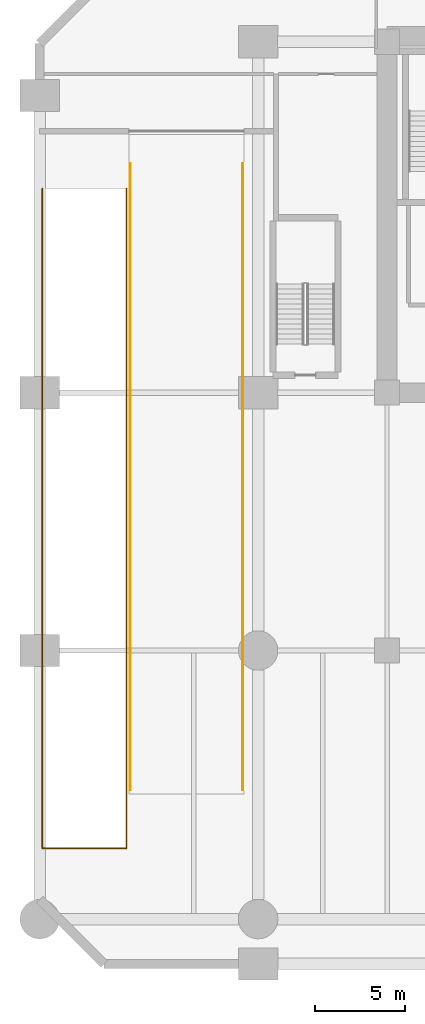
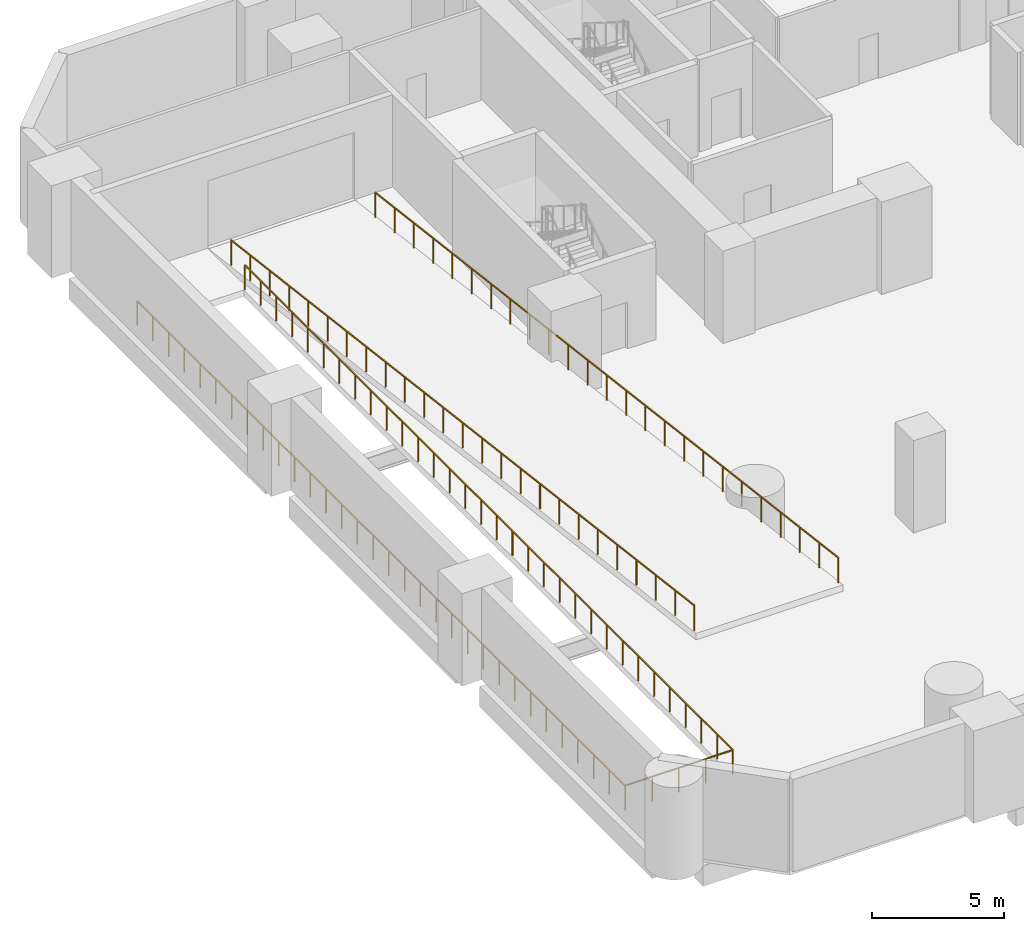
# One storey, part 7 of 9: 3 railings.
"""IFC4 building model written with IfcOpenShell, lengths in metres."""

from ifc_helpers import new_model, si_unit, direction, frame, origin, origin_2d, place, context, subcontext, project, spatial, rectangle, extrude, material, type_object, element, save


model = new_model("IFC4")

# Units and contexts
model_context = context("Model", 3, precision=1e-05, world=origin(), true_north=direction((0.0, 1.0)))
body_context = subcontext(model_context, "Body", "Model", "MODEL_VIEW")
ifc_project = project(units=[si_unit("LENGTHUNIT", "METRE"), si_unit("AREAUNIT", "SQUARE_METRE"), si_unit("VOLUMEUNIT", "CUBIC_METRE"), si_unit("PLANEANGLEUNIT", "RADIAN"), si_unit("MASSUNIT", "GRAM", prefix="KILO")], contexts=[model_context])

# Site, building, storey
site_placement = place(None, origin())
site = spatial("IfcSite", under=ifc_project, at=site_placement, CompositionType="ELEMENT")
building_placement = place(site_placement, origin())
building = spatial("IfcBuilding", under=site, at=building_placement, Name="Kaelvorn Grand Hotel", CompositionType="ELEMENT")
storey_placement = place(building_placement, frame((0.0, 0.0, -4.60009765625)))
storey = spatial("IfcBuildingStorey", under=building, at=storey_placement, Name="B01", CompositionType="ELEMENT", Elevation=-4.60009765625)

# Railings
ifc_material = material(Name="Stainless Steel", Category="steel")
railing_type = type_object("IfcRailingType", Name="RL-STAIR-GUARD-1150", PredefinedType="BALUSTRADE", material=ifc_material)
railing_1_placement = place(storey_placement, frame((1.860107421875, 42.199951171875, 0.20068359375)))
element("IfcRailing", 1, at=railing_1_placement, inside=storey, type_object=railing_type, Name="Vehicle Ramp VR1 Sloped W Guard Balustrade", PredefinedType="BALUSTRADE", context=body_context, shape_type="SweptSolid", body=[
    extrude(rectangle(XDim=0.048095703125, YDim=0.048095703125, at=origin_2d()), frame((0.0, 0.0, 1.15576171875), z_axis=(0.0, -0.992282990072, 0.12399382087), x_axis=(1.0, 0.0, 0.0)), (0.0, 0.0, 1.0), 1.46875),
    extrude(rectangle(XDim=0.048095703125, YDim=0.048095703125, at=origin_2d()), frame((0.0, -1.45751953125, 1.337890625), z_axis=(0.0, -0.992282990072, 0.12399382087), x_axis=(1.0, 0.0, 0.0)), (0.0, 0.0, 1.0), 1.46875),
    extrude(rectangle(XDim=0.048095703125, YDim=0.048095703125, at=origin_2d()), frame((0.0, -2.9150390625, 1.52001953125), z_axis=(0.0, -0.992282990072, 0.12399382087), x_axis=(1.0, 0.0, 0.0)), (0.0, 0.0, 1.0), 1.46875),
    extrude(rectangle(XDim=0.048095703125, YDim=0.048095703125, at=origin_2d()), frame((0.0, -4.37255859375, 1.7021484375), z_axis=(0.0, -0.992280434025, 0.124014274381), x_axis=(1.0, 0.0, 0.0)), (0.0, 0.0, 1.0), 1.468505859375),
    extrude(rectangle(XDim=0.048095703125, YDim=0.048095703125, at=origin_2d()), frame((0.0, -5.829833984375, 1.88427734375), z_axis=(0.0, -0.992282990072, 0.12399382087), x_axis=(1.0, 0.0, 0.0)), (0.0, 0.0, 1.0), 1.46875),
    extrude(rectangle(XDim=0.048095703125, YDim=0.048095703125, at=origin_2d()), frame((0.0, -7.287353515625, 2.06640625), z_axis=(0.0, -0.992282990072, 0.12399382087), x_axis=(1.0, 0.0, 0.0)), (0.0, 0.0, 1.0), 1.46875),
    extrude(rectangle(XDim=0.048095703125, YDim=0.048095703125, at=origin_2d()), frame((0.0, -8.744873046875, 2.24853515625), z_axis=(0.0, -0.992282990072, 0.12399382087), x_axis=(1.0, 0.0, 0.0)), (0.0, 0.0, 1.0), 1.46875),
    extrude(rectangle(XDim=0.048095703125, YDim=0.048095703125, at=origin_2d()), frame((0.0, -10.202392578125, 2.4306640625), z_axis=(0.0, -0.992282990072, 0.12399382087), x_axis=(1.0, 0.0, 0.0)), (0.0, 0.0, 1.0), 1.46875),
    extrude(rectangle(XDim=0.048095703125, YDim=0.048095703125, at=origin_2d()), frame((0.0, -11.659912109375, 2.61279296875), z_axis=(0.0, -0.992282990072, 0.12399382087), x_axis=(1.0, 0.0, 0.0)), (0.0, 0.0, 1.0), 1.46875),
    extrude(rectangle(XDim=0.048095703125, YDim=0.048095703125, at=origin_2d()), frame((0.0, -13.117431640625, 2.794921875), z_axis=(0.0, -0.992282990072, 0.12399382087), x_axis=(1.0, 0.0, 0.0)), (0.0, 0.0, 1.0), 1.46875),
    extrude(rectangle(XDim=0.048095703125, YDim=0.048095703125, at=origin_2d()), frame((0.0, -14.574951171875, 2.97705078125), z_axis=(0.0, -0.992282990072, 0.12399382087), x_axis=(1.0, 0.0, 0.0)), (0.0, 0.0, 1.0), 1.46875),
    extrude(rectangle(XDim=0.048095703125, YDim=0.048095703125, at=origin_2d()), frame((0.0, -16.032470703125, 3.1591796875), z_axis=(0.0, -0.992282990072, 0.12399382087), x_axis=(1.0, 0.0, 0.0)), (0.0, 0.0, 1.0), 1.46875),
    extrude(rectangle(XDim=0.048095703125, YDim=0.048095703125, at=origin_2d()), frame((0.0, -17.489990234375, 3.34130859375), z_axis=(0.0, -0.992282990072, 0.12399382087), x_axis=(1.0, 0.0, 0.0)), (0.0, 0.0, 1.0), 1.46875),
    extrude(rectangle(XDim=0.048095703125, YDim=0.048095703125, at=origin_2d()), frame((0.0, -18.947509765625, 3.5234375), z_axis=(0.0, -0.992282990072, 0.12399382087), x_axis=(1.0, 0.0, 0.0)), (0.0, 0.0, 1.0), 1.46875),
    extrude(rectangle(XDim=0.048095703125, YDim=0.048095703125, at=origin_2d()), frame((0.0, -20.405029296875, 3.70556640625), z_axis=(0.0, -0.992282990072, 0.12399382087), x_axis=(1.0, 0.0, 0.0)), (0.0, 0.0, 1.0), 1.46875),
    extrude(rectangle(XDim=0.048095703125, YDim=0.048095703125, at=origin_2d()), frame((0.0, -21.862548828125, 3.8876953125), z_axis=(0.0, -0.992262526834, 0.124157471951), x_axis=(1.0, 0.0, 0.0)), (0.0, 0.0, 1.0), 1.468994140625),
    extrude(rectangle(XDim=0.048095703125, YDim=0.048095703125, at=origin_2d()), frame((0.0, -23.320068359375, 4.0703125), z_axis=(0.0, -0.992280434025, 0.124014274381), x_axis=(1.0, 0.0, 0.0)), (0.0, 0.0, 1.0), 1.468505859375),
    extrude(rectangle(XDim=0.048095703125, YDim=0.048095703125, at=origin_2d()), frame((0.0, -24.77734375, 4.25244140625), z_axis=(0.0, -0.992282990072, 0.12399382087), x_axis=(1.0, 0.0, 0.0)), (0.0, 0.0, 1.0), 1.46875),
    extrude(rectangle(XDim=0.048095703125, YDim=0.048095703125, at=origin_2d()), frame((0.0, -26.23486328125, 4.4345703125), z_axis=(0.0, -0.992282990072, 0.12399382087), x_axis=(1.0, 0.0, 0.0)), (0.0, 0.0, 1.0), 1.46875),
    extrude(rectangle(XDim=0.048095703125, YDim=0.048095703125, at=origin_2d()), frame((0.0, -27.6923828125, 4.61669921875), z_axis=(0.0, -0.992282990072, 0.12399382087), x_axis=(1.0, 0.0, 0.0)), (0.0, 0.0, 1.0), 1.46875),
    extrude(rectangle(XDim=0.048095703125, YDim=0.048095703125, at=origin_2d()), frame((0.0, -29.14990234375, 4.798828125), z_axis=(0.0, -0.992282990072, 0.12399382087), x_axis=(1.0, 0.0, 0.0)), (0.0, 0.0, 1.0), 1.46875),
    extrude(rectangle(XDim=0.048095703125, YDim=0.048095703125, at=origin_2d()), frame((0.0, -30.607421875, 4.98095703125), z_axis=(0.0, -0.992282990072, 0.12399382087), x_axis=(1.0, 0.0, 0.0)), (0.0, 0.0, 1.0), 1.46875),
    extrude(rectangle(XDim=0.048095703125, YDim=0.048095703125, at=origin_2d()), frame((0.0, -32.06494140625, 5.1630859375), z_axis=(0.0, -0.992282990072, 0.12399382087), x_axis=(1.0, 0.0, 0.0)), (0.0, 0.0, 1.0), 1.46875),
    extrude(rectangle(XDim=0.048095703125, YDim=0.048095703125, at=origin_2d()), frame((0.0, -33.5224609375, 5.34521484375), z_axis=(0.0, -0.992282990072, 0.12399382087), x_axis=(1.0, 0.0, 0.0)), (0.0, 0.0, 1.0), 1.46875),
    extrude(rectangle(XDim=0.0419921875, YDim=0.0419921875, at=origin_2d()), origin(), (0.0, 0.0, 1.0), 1.1318359375),
    extrude(rectangle(XDim=0.0419921875, YDim=0.0419921875, at=origin_2d()), frame((0.0, -1.45751953125, 0.18212890625)), (0.0, 0.0, 1.0), 1.1318359375),
    extrude(rectangle(XDim=0.0419921875, YDim=0.0419921875, at=origin_2d()), frame((0.0, -2.9150390625, 0.3642578125)), (0.0, 0.0, 1.0), 1.1318359375),
    extrude(rectangle(XDim=0.0419921875, YDim=0.0419921875, at=origin_2d()), frame((0.0, -4.37255859375, 0.54638671875)), (0.0, 0.0, 1.0), 1.1318359375),
    extrude(rectangle(XDim=0.0419921875, YDim=0.0419921875, at=origin_2d()), frame((0.0, -5.829833984375, 0.728515625)), (0.0, 0.0, 1.0), 1.1318359375),
    extrude(rectangle(XDim=0.0419921875, YDim=0.0419921875, at=origin_2d()), frame((0.0, -7.287353515625, 0.91064453125)), (0.0, 0.0, 1.0), 1.1318359375),
    extrude(rectangle(XDim=0.0419921875, YDim=0.0419921875, at=origin_2d()), frame((0.0, -8.744873046875, 1.0927734375)), (0.0, 0.0, 1.0), 1.1318359375),
    extrude(rectangle(XDim=0.0419921875, YDim=0.0419921875, at=origin_2d()), frame((0.0, -10.202392578125, 1.27490234375)), (0.0, 0.0, 1.0), 1.1318359375),
    extrude(rectangle(XDim=0.0419921875, YDim=0.0419921875, at=origin_2d()), frame((0.0, -11.659912109375, 1.45703125)), (0.0, 0.0, 1.0), 1.1318359375),
    extrude(rectangle(XDim=0.0419921875, YDim=0.0419921875, at=origin_2d()), frame((0.0, -13.117431640625, 1.63916015625)), (0.0, 0.0, 1.0), 1.1318359375),
    extrude(rectangle(XDim=0.0419921875, YDim=0.0419921875, at=origin_2d()), frame((0.0, -14.574951171875, 1.8212890625)), (0.0, 0.0, 1.0), 1.1318359375),
    extrude(rectangle(XDim=0.0419921875, YDim=0.0419921875, at=origin_2d()), frame((0.0, -16.032470703125, 2.00341796875)), (0.0, 0.0, 1.0), 1.1318359375),
    extrude(rectangle(XDim=0.0419921875, YDim=0.0419921875, at=origin_2d()), frame((0.0, -17.489990234375, 2.185546875)), (0.0, 0.0, 1.0), 1.1318359375),
    extrude(rectangle(XDim=0.0419921875, YDim=0.0419921875, at=origin_2d()), frame((0.0, -18.947509765625, 2.36767578125)), (0.0, 0.0, 1.0), 1.1318359375),
    extrude(rectangle(XDim=0.0419921875, YDim=0.0419921875, at=origin_2d()), frame((0.0, -20.405029296875, 2.5498046875)), (0.0, 0.0, 1.0), 1.1318359375),
    extrude(rectangle(XDim=0.0419921875, YDim=0.0419921875, at=origin_2d()), frame((0.0, -21.862548828125, 2.73193359375)), (0.0, 0.0, 1.0), 1.1318359375),
    extrude(rectangle(XDim=0.0419921875, YDim=0.0419921875, at=origin_2d()), frame((0.0, -23.320068359375, 2.914306640625)), (0.0, 0.0, 1.0), 1.1318359375),
    extrude(rectangle(XDim=0.0419921875, YDim=0.0419921875, at=origin_2d()), frame((0.0, -24.77734375, 3.096435546875)), (0.0, 0.0, 1.0), 1.1318359375),
    extrude(rectangle(XDim=0.0419921875, YDim=0.0419921875, at=origin_2d()), frame((0.0, -26.23486328125, 3.278564453125)), (0.0, 0.0, 1.0), 1.1318359375),
    extrude(rectangle(XDim=0.0419921875, YDim=0.0419921875, at=origin_2d()), frame((0.0, -27.6923828125, 3.460693359375)), (0.0, 0.0, 1.0), 1.1318359375),
    extrude(rectangle(XDim=0.0419921875, YDim=0.0419921875, at=origin_2d()), frame((0.0, -29.14990234375, 3.642822265625)), (0.0, 0.0, 1.0), 1.1318359375),
    extrude(rectangle(XDim=0.0419921875, YDim=0.0419921875, at=origin_2d()), frame((0.0, -30.607421875, 3.824951171875)), (0.0, 0.0, 1.0), 1.1318359375),
    extrude(rectangle(XDim=0.0419921875, YDim=0.0419921875, at=origin_2d()), frame((0.0, -32.06494140625, 4.007080078125)), (0.0, 0.0, 1.0), 1.1318359375),
    extrude(rectangle(XDim=0.0419921875, YDim=0.0419921875, at=origin_2d()), frame((0.0, -33.5224609375, 4.189208984375)), (0.0, 0.0, 1.0), 1.1318359375),
    extrude(rectangle(XDim=0.0419921875, YDim=0.0419921875, at=origin_2d()), frame((0.0, -34.97998046875, 4.371337890625)), (0.0, 0.0, 1.0), 1.1318359375),
])
railing_2_placement = place(storey_placement, frame((8.139892578125, 42.199951171875, 0.20068359375)))
element("IfcRailing", 2, at=railing_2_placement, inside=storey, type_object=railing_type, Name="Vehicle Ramp VR1 Sloped E Guard Balustrade", PredefinedType="BALUSTRADE", context=body_context, shape_type="SweptSolid", body=[
    extrude(rectangle(XDim=0.048095703125, YDim=0.048095703125, at=origin_2d()), frame((0.0, 0.0, 1.15576171875), z_axis=(0.0, -0.992282990072, 0.12399382087), x_axis=(1.0, 0.0, 0.0)), (0.0, 0.0, 1.0), 1.46875),
    extrude(rectangle(XDim=0.048095703125, YDim=0.048095703125, at=origin_2d()), frame((0.0, -1.45751953125, 1.337890625), z_axis=(0.0, -0.992282990072, 0.12399382087), x_axis=(1.0, 0.0, 0.0)), (0.0, 0.0, 1.0), 1.46875),
    extrude(rectangle(XDim=0.048095703125, YDim=0.048095703125, at=origin_2d()), frame((0.0, -2.9150390625, 1.52001953125), z_axis=(0.0, -0.992282990072, 0.12399382087), x_axis=(1.0, 0.0, 0.0)), (0.0, 0.0, 1.0), 1.46875),
    extrude(rectangle(XDim=0.048095703125, YDim=0.048095703125, at=origin_2d()), frame((0.0, -4.37255859375, 1.7021484375), z_axis=(0.0, -0.992280434025, 0.124014274381), x_axis=(1.0, 0.0, 0.0)), (0.0, 0.0, 1.0), 1.468505859375),
    extrude(rectangle(XDim=0.048095703125, YDim=0.048095703125, at=origin_2d()), frame((0.0, -5.829833984375, 1.88427734375), z_axis=(0.0, -0.992282990072, 0.12399382087), x_axis=(1.0, 0.0, 0.0)), (0.0, 0.0, 1.0), 1.46875),
    extrude(rectangle(XDim=0.048095703125, YDim=0.048095703125, at=origin_2d()), frame((0.0, -7.287353515625, 2.06640625), z_axis=(0.0, -0.992282990072, 0.12399382087), x_axis=(1.0, 0.0, 0.0)), (0.0, 0.0, 1.0), 1.46875),
    extrude(rectangle(XDim=0.048095703125, YDim=0.048095703125, at=origin_2d()), frame((0.0, -8.744873046875, 2.24853515625), z_axis=(0.0, -0.992282990072, 0.12399382087), x_axis=(1.0, 0.0, 0.0)), (0.0, 0.0, 1.0), 1.46875),
    extrude(rectangle(XDim=0.048095703125, YDim=0.048095703125, at=origin_2d()), frame((0.0, -10.202392578125, 2.4306640625), z_axis=(0.0, -0.992282990072, 0.12399382087), x_axis=(1.0, 0.0, 0.0)), (0.0, 0.0, 1.0), 1.46875),
    extrude(rectangle(XDim=0.048095703125, YDim=0.048095703125, at=origin_2d()), frame((0.0, -11.659912109375, 2.61279296875), z_axis=(0.0, -0.992282990072, 0.12399382087), x_axis=(1.0, 0.0, 0.0)), (0.0, 0.0, 1.0), 1.46875),
    extrude(rectangle(XDim=0.048095703125, YDim=0.048095703125, at=origin_2d()), frame((0.0, -13.117431640625, 2.794921875), z_axis=(0.0, -0.992282990072, 0.12399382087), x_axis=(1.0, 0.0, 0.0)), (0.0, 0.0, 1.0), 1.46875),
    extrude(rectangle(XDim=0.048095703125, YDim=0.048095703125, at=origin_2d()), frame((0.0, -14.574951171875, 2.97705078125), z_axis=(0.0, -0.992282990072, 0.12399382087), x_axis=(1.0, 0.0, 0.0)), (0.0, 0.0, 1.0), 1.46875),
    extrude(rectangle(XDim=0.048095703125, YDim=0.048095703125, at=origin_2d()), frame((0.0, -16.032470703125, 3.1591796875), z_axis=(0.0, -0.992282990072, 0.12399382087), x_axis=(1.0, 0.0, 0.0)), (0.0, 0.0, 1.0), 1.46875),
    extrude(rectangle(XDim=0.048095703125, YDim=0.048095703125, at=origin_2d()), frame((0.0, -17.489990234375, 3.34130859375), z_axis=(0.0, -0.992282990072, 0.12399382087), x_axis=(1.0, 0.0, 0.0)), (0.0, 0.0, 1.0), 1.46875),
    extrude(rectangle(XDim=0.048095703125, YDim=0.048095703125, at=origin_2d()), frame((0.0, -18.947509765625, 3.5234375), z_axis=(0.0, -0.992282990072, 0.12399382087), x_axis=(1.0, 0.0, 0.0)), (0.0, 0.0, 1.0), 1.46875),
    extrude(rectangle(XDim=0.048095703125, YDim=0.048095703125, at=origin_2d()), frame((0.0, -20.405029296875, 3.70556640625), z_axis=(0.0, -0.992282990072, 0.12399382087), x_axis=(1.0, 0.0, 0.0)), (0.0, 0.0, 1.0), 1.46875),
    extrude(rectangle(XDim=0.048095703125, YDim=0.048095703125, at=origin_2d()), frame((0.0, -21.862548828125, 3.8876953125), z_axis=(0.0, -0.992262526834, 0.124157471951), x_axis=(1.0, 0.0, 0.0)), (0.0, 0.0, 1.0), 1.468994140625),
    extrude(rectangle(XDim=0.048095703125, YDim=0.048095703125, at=origin_2d()), frame((0.0, -23.320068359375, 4.0703125), z_axis=(0.0, -0.992280434025, 0.124014274381), x_axis=(1.0, 0.0, 0.0)), (0.0, 0.0, 1.0), 1.468505859375),
    extrude(rectangle(XDim=0.048095703125, YDim=0.048095703125, at=origin_2d()), frame((0.0, -24.77734375, 4.25244140625), z_axis=(0.0, -0.992282990072, 0.12399382087), x_axis=(1.0, 0.0, 0.0)), (0.0, 0.0, 1.0), 1.46875),
    extrude(rectangle(XDim=0.048095703125, YDim=0.048095703125, at=origin_2d()), frame((0.0, -26.23486328125, 4.4345703125), z_axis=(0.0, -0.992282990072, 0.12399382087), x_axis=(1.0, 0.0, 0.0)), (0.0, 0.0, 1.0), 1.46875),
    extrude(rectangle(XDim=0.048095703125, YDim=0.048095703125, at=origin_2d()), frame((0.0, -27.6923828125, 4.61669921875), z_axis=(0.0, -0.992282990072, 0.12399382087), x_axis=(1.0, 0.0, 0.0)), (0.0, 0.0, 1.0), 1.46875),
    extrude(rectangle(XDim=0.048095703125, YDim=0.048095703125, at=origin_2d()), frame((0.0, -29.14990234375, 4.798828125), z_axis=(0.0, -0.992282990072, 0.12399382087), x_axis=(1.0, 0.0, 0.0)), (0.0, 0.0, 1.0), 1.46875),
    extrude(rectangle(XDim=0.048095703125, YDim=0.048095703125, at=origin_2d()), frame((0.0, -30.607421875, 4.98095703125), z_axis=(0.0, -0.992282990072, 0.12399382087), x_axis=(1.0, 0.0, 0.0)), (0.0, 0.0, 1.0), 1.46875),
    extrude(rectangle(XDim=0.048095703125, YDim=0.048095703125, at=origin_2d()), frame((0.0, -32.06494140625, 5.1630859375), z_axis=(0.0, -0.992282990072, 0.12399382087), x_axis=(1.0, 0.0, 0.0)), (0.0, 0.0, 1.0), 1.46875),
    extrude(rectangle(XDim=0.048095703125, YDim=0.048095703125, at=origin_2d()), frame((0.0, -33.5224609375, 5.34521484375), z_axis=(0.0, -0.992282990072, 0.12399382087), x_axis=(1.0, 0.0, 0.0)), (0.0, 0.0, 1.0), 1.46875),
    extrude(rectangle(XDim=0.0419921875, YDim=0.0419921875, at=origin_2d()), origin(), (0.0, 0.0, 1.0), 1.1318359375),
    extrude(rectangle(XDim=0.0419921875, YDim=0.0419921875, at=origin_2d()), frame((0.0, -1.45751953125, 0.18212890625)), (0.0, 0.0, 1.0), 1.1318359375),
    extrude(rectangle(XDim=0.0419921875, YDim=0.0419921875, at=origin_2d()), frame((0.0, -2.9150390625, 0.3642578125)), (0.0, 0.0, 1.0), 1.1318359375),
    extrude(rectangle(XDim=0.0419921875, YDim=0.0419921875, at=origin_2d()), frame((0.0, -4.37255859375, 0.54638671875)), (0.0, 0.0, 1.0), 1.1318359375),
    extrude(rectangle(XDim=0.0419921875, YDim=0.0419921875, at=origin_2d()), frame((0.0, -5.829833984375, 0.728515625)), (0.0, 0.0, 1.0), 1.1318359375),
    extrude(rectangle(XDim=0.0419921875, YDim=0.0419921875, at=origin_2d()), frame((0.0, -7.287353515625, 0.91064453125)), (0.0, 0.0, 1.0), 1.1318359375),
    extrude(rectangle(XDim=0.0419921875, YDim=0.0419921875, at=origin_2d()), frame((0.0, -8.744873046875, 1.0927734375)), (0.0, 0.0, 1.0), 1.1318359375),
    extrude(rectangle(XDim=0.0419921875, YDim=0.0419921875, at=origin_2d()), frame((0.0, -10.202392578125, 1.27490234375)), (0.0, 0.0, 1.0), 1.1318359375),
    extrude(rectangle(XDim=0.0419921875, YDim=0.0419921875, at=origin_2d()), frame((0.0, -11.659912109375, 1.45703125)), (0.0, 0.0, 1.0), 1.1318359375),
    extrude(rectangle(XDim=0.0419921875, YDim=0.0419921875, at=origin_2d()), frame((0.0, -13.117431640625, 1.63916015625)), (0.0, 0.0, 1.0), 1.1318359375),
    extrude(rectangle(XDim=0.0419921875, YDim=0.0419921875, at=origin_2d()), frame((0.0, -14.574951171875, 1.8212890625)), (0.0, 0.0, 1.0), 1.1318359375),
    extrude(rectangle(XDim=0.0419921875, YDim=0.0419921875, at=origin_2d()), frame((0.0, -16.032470703125, 2.00341796875)), (0.0, 0.0, 1.0), 1.1318359375),
    extrude(rectangle(XDim=0.0419921875, YDim=0.0419921875, at=origin_2d()), frame((0.0, -17.489990234375, 2.185546875)), (0.0, 0.0, 1.0), 1.1318359375),
    extrude(rectangle(XDim=0.0419921875, YDim=0.0419921875, at=origin_2d()), frame((0.0, -18.947509765625, 2.36767578125)), (0.0, 0.0, 1.0), 1.1318359375),
    extrude(rectangle(XDim=0.0419921875, YDim=0.0419921875, at=origin_2d()), frame((0.0, -20.405029296875, 2.5498046875)), (0.0, 0.0, 1.0), 1.1318359375),
    extrude(rectangle(XDim=0.0419921875, YDim=0.0419921875, at=origin_2d()), frame((0.0, -21.862548828125, 2.73193359375)), (0.0, 0.0, 1.0), 1.1318359375),
    extrude(rectangle(XDim=0.0419921875, YDim=0.0419921875, at=origin_2d()), frame((0.0, -23.320068359375, 2.914306640625)), (0.0, 0.0, 1.0), 1.1318359375),
    extrude(rectangle(XDim=0.0419921875, YDim=0.0419921875, at=origin_2d()), frame((0.0, -24.77734375, 3.096435546875)), (0.0, 0.0, 1.0), 1.1318359375),
    extrude(rectangle(XDim=0.0419921875, YDim=0.0419921875, at=origin_2d()), frame((0.0, -26.23486328125, 3.278564453125)), (0.0, 0.0, 1.0), 1.1318359375),
    extrude(rectangle(XDim=0.0419921875, YDim=0.0419921875, at=origin_2d()), frame((0.0, -27.6923828125, 3.460693359375)), (0.0, 0.0, 1.0), 1.1318359375),
    extrude(rectangle(XDim=0.0419921875, YDim=0.0419921875, at=origin_2d()), frame((0.0, -29.14990234375, 3.642822265625)), (0.0, 0.0, 1.0), 1.1318359375),
    extrude(rectangle(XDim=0.0419921875, YDim=0.0419921875, at=origin_2d()), frame((0.0, -30.607421875, 3.824951171875)), (0.0, 0.0, 1.0), 1.1318359375),
    extrude(rectangle(XDim=0.0419921875, YDim=0.0419921875, at=origin_2d()), frame((0.0, -32.06494140625, 4.007080078125)), (0.0, 0.0, 1.0), 1.1318359375),
    extrude(rectangle(XDim=0.0419921875, YDim=0.0419921875, at=origin_2d()), frame((0.0, -33.5224609375, 4.189208984375)), (0.0, 0.0, 1.0), 1.1318359375),
    extrude(rectangle(XDim=0.0419921875, YDim=0.0419921875, at=origin_2d()), frame((0.0, -34.97998046875, 4.371337890625)), (0.0, 0.0, 1.0), 1.1318359375),
])
railing_3_placement = place(storey_placement, frame((-3.050048828125, 40.800048828125, 0.0)))
element("IfcRailing", 3, at=railing_3_placement, inside=storey, type_object=railing_type, Name="B01 Vehicle Ramp Opening Guard Balustrade", PredefinedType="BALUSTRADE", context=body_context, shape_type="SweptSolid", body=[
    extrude(rectangle(XDim=0.048095703125, YDim=0.048095703125, at=origin_2d()), frame((0.0, 0.0, 1.1259765625), z_axis=(0.0, -1.0, 0.0), x_axis=(1.0, 0.0, 0.0)), (0.0, 0.0, 1.0), 36.85009765625),
    extrude(rectangle(XDim=0.048095703125, YDim=0.048095703125, at=origin_2d()), frame((0.0, -36.85009765625, 1.1259765625), z_axis=(1.0, 0.0, 0.0), x_axis=(0.0, 1.0, 0.0)), (0.0, 0.0, 1.0), 4.699951171875),
    extrude(rectangle(XDim=0.048095703125, YDim=0.048095703125, at=origin_2d()), frame((4.699951171875, -36.85009765625, 1.1259765625), z_axis=(0.0, 1.0, 0.0), x_axis=(-1.0, 0.0, 0.0)), (0.0, 0.0, 1.0), 36.85009765625),
    extrude(rectangle(XDim=0.0419921875, YDim=0.0419921875, at=origin_2d()), origin(), (0.0, 0.0, 1.0), 1.101806640625),
    extrude(rectangle(XDim=0.0419921875, YDim=0.0419921875, at=origin_2d()), frame((0.0, -1.188720703125, 0.0)), (0.0, 0.0, 1.0), 1.101806640625),
    extrude(rectangle(XDim=0.0419921875, YDim=0.0419921875, at=origin_2d()), frame((0.0, -2.37744140625, 0.0)), (0.0, 0.0, 1.0), 1.101806640625),
    extrude(rectangle(XDim=0.0419921875, YDim=0.0419921875, at=origin_2d()), frame((0.0, -3.566162109375, 0.0)), (0.0, 0.0, 1.0), 1.101806640625),
    extrude(rectangle(XDim=0.0419921875, YDim=0.0419921875, at=origin_2d()), frame((0.0, -4.7548828125, 0.0)), (0.0, 0.0, 1.0), 1.101806640625),
    extrude(rectangle(XDim=0.0419921875, YDim=0.0419921875, at=origin_2d()), frame((0.0, -5.943603515625, 0.0)), (0.0, 0.0, 1.0), 1.101806640625),
    extrude(rectangle(XDim=0.0419921875, YDim=0.0419921875, at=origin_2d()), frame((0.0, -7.13232421875, 0.0)), (0.0, 0.0, 1.0), 1.101806640625),
    extrude(rectangle(XDim=0.0419921875, YDim=0.0419921875, at=origin_2d()), frame((0.0, -8.321044921875, 0.0)), (0.0, 0.0, 1.0), 1.101806640625),
    extrude(rectangle(XDim=0.0419921875, YDim=0.0419921875, at=origin_2d()), frame((0.0, -9.509765625, 0.0)), (0.0, 0.0, 1.0), 1.101806640625),
    extrude(rectangle(XDim=0.0419921875, YDim=0.0419921875, at=origin_2d()), frame((0.0, -10.698486328125, 0.0)), (0.0, 0.0, 1.0), 1.101806640625),
    extrude(rectangle(XDim=0.0419921875, YDim=0.0419921875, at=origin_2d()), frame((0.0, -11.88720703125, 0.0)), (0.0, 0.0, 1.0), 1.101806640625),
    extrude(rectangle(XDim=0.0419921875, YDim=0.0419921875, at=origin_2d()), frame((0.0, -13.075927734375, 0.0)), (0.0, 0.0, 1.0), 1.101806640625),
    extrude(rectangle(XDim=0.0419921875, YDim=0.0419921875, at=origin_2d()), frame((0.0, -14.2646484375, 0.0)), (0.0, 0.0, 1.0), 1.101806640625),
    extrude(rectangle(XDim=0.0419921875, YDim=0.0419921875, at=origin_2d()), frame((0.0, -15.453369140625, 0.0)), (0.0, 0.0, 1.0), 1.101806640625),
    extrude(rectangle(XDim=0.0419921875, YDim=0.0419921875, at=origin_2d()), frame((0.0, -16.64208984375, 0.0)), (0.0, 0.0, 1.0), 1.101806640625),
    extrude(rectangle(XDim=0.0419921875, YDim=0.0419921875, at=origin_2d()), frame((0.0, -17.830810546875, 0.0)), (0.0, 0.0, 1.0), 1.101806640625),
    extrude(rectangle(XDim=0.0419921875, YDim=0.0419921875, at=origin_2d()), frame((0.0, -19.019287109375, 0.0)), (0.0, 0.0, 1.0), 1.101806640625),
    extrude(rectangle(XDim=0.0419921875, YDim=0.0419921875, at=origin_2d()), frame((0.0, -20.2080078125, 0.0)), (0.0, 0.0, 1.0), 1.101806640625),
    extrude(rectangle(XDim=0.0419921875, YDim=0.0419921875, at=origin_2d()), frame((0.0, -21.396728515625, 0.0)), (0.0, 0.0, 1.0), 1.101806640625),
    extrude(rectangle(XDim=0.0419921875, YDim=0.0419921875, at=origin_2d()), frame((0.0, -22.58544921875, 0.0)), (0.0, 0.0, 1.0), 1.101806640625),
    extrude(rectangle(XDim=0.0419921875, YDim=0.0419921875, at=origin_2d()), frame((0.0, -23.774169921875, 0.0)), (0.0, 0.0, 1.0), 1.101806640625),
    extrude(rectangle(XDim=0.0419921875, YDim=0.0419921875, at=origin_2d()), frame((0.0, -24.962890625, 0.0)), (0.0, 0.0, 1.0), 1.101806640625),
    extrude(rectangle(XDim=0.0419921875, YDim=0.0419921875, at=origin_2d()), frame((0.0, -26.151611328125, 0.0)), (0.0, 0.0, 1.0), 1.101806640625),
    extrude(rectangle(XDim=0.0419921875, YDim=0.0419921875, at=origin_2d()), frame((0.0, -27.34033203125, 0.0)), (0.0, 0.0, 1.0), 1.101806640625),
    extrude(rectangle(XDim=0.0419921875, YDim=0.0419921875, at=origin_2d()), frame((0.0, -28.529052734375, 0.0)), (0.0, 0.0, 1.0), 1.101806640625),
    extrude(rectangle(XDim=0.0419921875, YDim=0.0419921875, at=origin_2d()), frame((0.0, -29.7177734375, 0.0)), (0.0, 0.0, 1.0), 1.101806640625),
    extrude(rectangle(XDim=0.0419921875, YDim=0.0419921875, at=origin_2d()), frame((0.0, -30.906494140625, 0.0)), (0.0, 0.0, 1.0), 1.101806640625),
    extrude(rectangle(XDim=0.0419921875, YDim=0.0419921875, at=origin_2d()), frame((0.0, -32.09521484375, 0.0)), (0.0, 0.0, 1.0), 1.101806640625),
    extrude(rectangle(XDim=0.0419921875, YDim=0.0419921875, at=origin_2d()), frame((0.0, -33.283935546875, 0.0)), (0.0, 0.0, 1.0), 1.101806640625),
    extrude(rectangle(XDim=0.0419921875, YDim=0.0419921875, at=origin_2d()), frame((0.0, -34.47265625, 0.0)), (0.0, 0.0, 1.0), 1.101806640625),
    extrude(rectangle(XDim=0.0419921875, YDim=0.0419921875, at=origin_2d()), frame((0.0, -35.661376953125, 0.0)), (0.0, 0.0, 1.0), 1.101806640625),
    extrude(rectangle(XDim=0.0419921875, YDim=0.0419921875, at=origin_2d()), frame((0.0, -36.85009765625, 0.0)), (0.0, 0.0, 1.0), 1.101806640625),
    extrude(rectangle(XDim=0.0419921875, YDim=0.0419921875, at=origin_2d()), frame((1.175048828125, -36.85009765625, 0.0)), (0.0, 0.0, 1.0), 1.101806640625),
    extrude(rectangle(XDim=0.0419921875, YDim=0.0419921875, at=origin_2d()), frame((2.35009765625, -36.85009765625, 0.0)), (0.0, 0.0, 1.0), 1.101806640625),
    extrude(rectangle(XDim=0.0419921875, YDim=0.0419921875, at=origin_2d()), frame((3.52490234375, -36.85009765625, 0.0)), (0.0, 0.0, 1.0), 1.101806640625),
    extrude(rectangle(XDim=0.0419921875, YDim=0.0419921875, at=origin_2d()), frame((4.699951171875, -36.85009765625, 0.0)), (0.0, 0.0, 1.0), 1.101806640625),
    extrude(rectangle(XDim=0.0419921875, YDim=0.0419921875, at=origin_2d()), frame((4.699951171875, -35.661376953125, 0.0)), (0.0, 0.0, 1.0), 1.101806640625),
    extrude(rectangle(XDim=0.0419921875, YDim=0.0419921875, at=origin_2d()), frame((4.699951171875, -34.47265625, 0.0)), (0.0, 0.0, 1.0), 1.101806640625),
    extrude(rectangle(XDim=0.0419921875, YDim=0.0419921875, at=origin_2d()), frame((4.699951171875, -33.283935546875, 0.0)), (0.0, 0.0, 1.0), 1.101806640625),
    extrude(rectangle(XDim=0.0419921875, YDim=0.0419921875, at=origin_2d()), frame((4.699951171875, -32.09521484375, 0.0)), (0.0, 0.0, 1.0), 1.101806640625),
    extrude(rectangle(XDim=0.0419921875, YDim=0.0419921875, at=origin_2d()), frame((4.699951171875, -30.906494140625, 0.0)), (0.0, 0.0, 1.0), 1.101806640625),
    extrude(rectangle(XDim=0.0419921875, YDim=0.0419921875, at=origin_2d()), frame((4.699951171875, -29.7177734375, 0.0)), (0.0, 0.0, 1.0), 1.101806640625),
    extrude(rectangle(XDim=0.0419921875, YDim=0.0419921875, at=origin_2d()), frame((4.699951171875, -28.529052734375, 0.0)), (0.0, 0.0, 1.0), 1.101806640625),
    extrude(rectangle(XDim=0.0419921875, YDim=0.0419921875, at=origin_2d()), frame((4.699951171875, -27.34033203125, 0.0)), (0.0, 0.0, 1.0), 1.101806640625),
    extrude(rectangle(XDim=0.0419921875, YDim=0.0419921875, at=origin_2d()), frame((4.699951171875, -26.151611328125, 0.0)), (0.0, 0.0, 1.0), 1.101806640625),
    extrude(rectangle(XDim=0.0419921875, YDim=0.0419921875, at=origin_2d()), frame((4.699951171875, -24.962890625, 0.0)), (0.0, 0.0, 1.0), 1.101806640625),
    extrude(rectangle(XDim=0.0419921875, YDim=0.0419921875, at=origin_2d()), frame((4.699951171875, -23.774169921875, 0.0)), (0.0, 0.0, 1.0), 1.101806640625),
    extrude(rectangle(XDim=0.0419921875, YDim=0.0419921875, at=origin_2d()), frame((4.699951171875, -22.58544921875, 0.0)), (0.0, 0.0, 1.0), 1.101806640625),
    extrude(rectangle(XDim=0.0419921875, YDim=0.0419921875, at=origin_2d()), frame((4.699951171875, -21.396728515625, 0.0)), (0.0, 0.0, 1.0), 1.101806640625),
    extrude(rectangle(XDim=0.0419921875, YDim=0.0419921875, at=origin_2d()), frame((4.699951171875, -20.2080078125, 0.0)), (0.0, 0.0, 1.0), 1.101806640625),
    extrude(rectangle(XDim=0.0419921875, YDim=0.0419921875, at=origin_2d()), frame((4.699951171875, -19.019287109375, 0.0)), (0.0, 0.0, 1.0), 1.101806640625),
    extrude(rectangle(XDim=0.0419921875, YDim=0.0419921875, at=origin_2d()), frame((4.699951171875, -17.830810546875, 0.0)), (0.0, 0.0, 1.0), 1.101806640625),
    extrude(rectangle(XDim=0.0419921875, YDim=0.0419921875, at=origin_2d()), frame((4.699951171875, -16.64208984375, 0.0)), (0.0, 0.0, 1.0), 1.101806640625),
    extrude(rectangle(XDim=0.0419921875, YDim=0.0419921875, at=origin_2d()), frame((4.699951171875, -15.453369140625, 0.0)), (0.0, 0.0, 1.0), 1.101806640625),
    extrude(rectangle(XDim=0.0419921875, YDim=0.0419921875, at=origin_2d()), frame((4.699951171875, -14.2646484375, 0.0)), (0.0, 0.0, 1.0), 1.101806640625),
    extrude(rectangle(XDim=0.0419921875, YDim=0.0419921875, at=origin_2d()), frame((4.699951171875, -13.075927734375, 0.0)), (0.0, 0.0, 1.0), 1.101806640625),
    extrude(rectangle(XDim=0.0419921875, YDim=0.0419921875, at=origin_2d()), frame((4.699951171875, -11.88720703125, 0.0)), (0.0, 0.0, 1.0), 1.101806640625),
    extrude(rectangle(XDim=0.0419921875, YDim=0.0419921875, at=origin_2d()), frame((4.699951171875, -10.698486328125, 0.0)), (0.0, 0.0, 1.0), 1.101806640625),
    extrude(rectangle(XDim=0.0419921875, YDim=0.0419921875, at=origin_2d()), frame((4.699951171875, -9.509765625, 0.0)), (0.0, 0.0, 1.0), 1.101806640625),
    extrude(rectangle(XDim=0.0419921875, YDim=0.0419921875, at=origin_2d()), frame((4.699951171875, -8.321044921875, 0.0)), (0.0, 0.0, 1.0), 1.101806640625),
    extrude(rectangle(XDim=0.0419921875, YDim=0.0419921875, at=origin_2d()), frame((4.699951171875, -7.13232421875, 0.0)), (0.0, 0.0, 1.0), 1.101806640625),
    extrude(rectangle(XDim=0.0419921875, YDim=0.0419921875, at=origin_2d()), frame((4.699951171875, -5.943603515625, 0.0)), (0.0, 0.0, 1.0), 1.101806640625),
    extrude(rectangle(XDim=0.0419921875, YDim=0.0419921875, at=origin_2d()), frame((4.699951171875, -4.7548828125, 0.0)), (0.0, 0.0, 1.0), 1.101806640625),
    extrude(rectangle(XDim=0.0419921875, YDim=0.0419921875, at=origin_2d()), frame((4.699951171875, -3.566162109375, 0.0)), (0.0, 0.0, 1.0), 1.101806640625),
    extrude(rectangle(XDim=0.0419921875, YDim=0.0419921875, at=origin_2d()), frame((4.699951171875, -2.37744140625, 0.0)), (0.0, 0.0, 1.0), 1.101806640625),
    extrude(rectangle(XDim=0.0419921875, YDim=0.0419921875, at=origin_2d()), frame((4.699951171875, -1.188720703125, 0.0)), (0.0, 0.0, 1.0), 1.101806640625),
    extrude(rectangle(XDim=0.0419921875, YDim=0.0419921875, at=origin_2d()), frame((4.699951171875, 0.0, 0.0)), (0.0, 0.0, 1.0), 1.101806640625),
])

save(model, "model.ifc")
